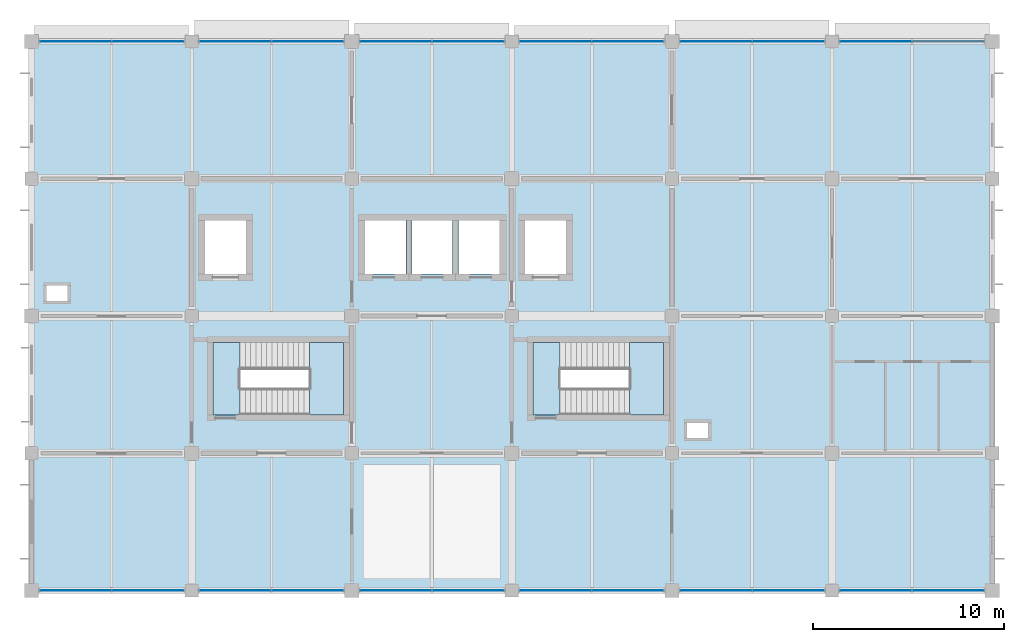
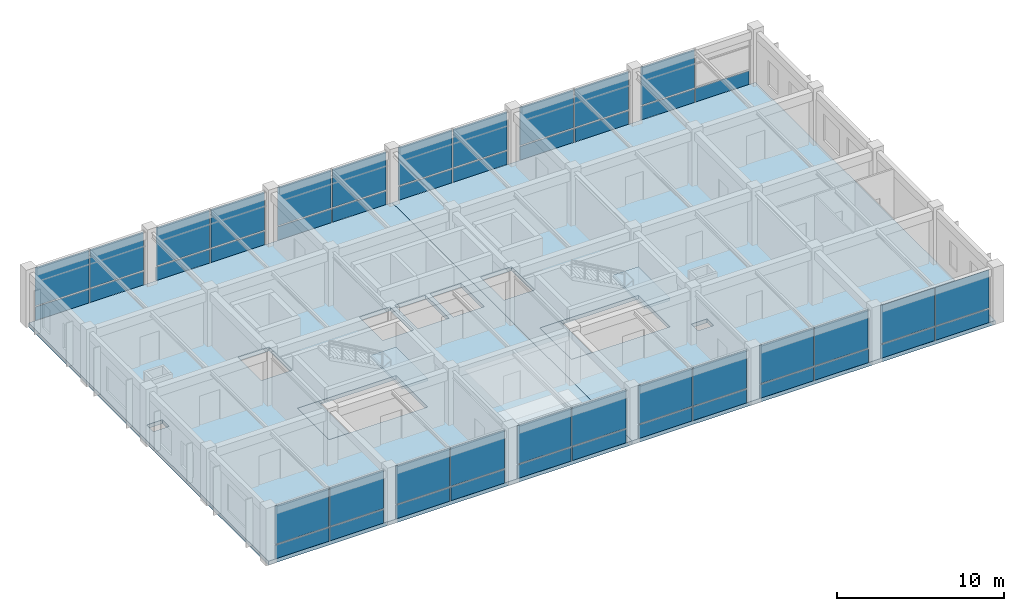
# One storey, part 7 of 13: 47 plates, 6 slabs, 14 elements without a shape of their own.
"""IFC4 building model written with IfcOpenShell, lengths in metres."""

from ifc_helpers import new_model, si_unit, derived_unit, direction, frame, origin, origin_2d, place, context, subcontext, project, spatial, polyline, rectangle, outline, extrude, material, layer, layer_set, type_object, element, aggregate, save


model = new_model("IFC4")

# Units and contexts
model_context = context("Model", 3, precision=1e-05, world=origin(), true_north=direction((0.0, 1.0)))
body_context = subcontext(model_context, "Body", "Model", "MODEL_VIEW")
ifc_project = project(units=[si_unit("LENGTHUNIT", "METRE"), si_unit("AREAUNIT", "SQUARE_METRE"), si_unit("VOLUMEUNIT", "CUBIC_METRE"), si_unit("PLANEANGLEUNIT", "RADIAN"), si_unit("MASSUNIT", "GRAM", prefix="KILO"), derived_unit("THERMALTRANSMITTANCEUNIT", [(si_unit("MASSUNIT", "GRAM", prefix="KILO"), 1), (si_unit("TIMEUNIT", "SECOND"), -3), (si_unit("THERMODYNAMICTEMPERATUREUNIT", "KELVIN"), -1)])], contexts=[model_context])

# Site, building, storey
site_placement = place(None, origin())
site = spatial("IfcSite", under=ifc_project, at=site_placement, CompositionType="ELEMENT")
building_placement = place(site_placement, origin())
building = spatial("IfcBuilding", under=site, at=building_placement, Name="Veldstrom Oceanarium and Marine Research Institute", CompositionType="ELEMENT")
storey_placement = place(building_placement, frame((0.0, 0.0, 31.199951171875)))
storey = spatial("IfcBuildingStorey", under=building, at=storey_placement, Name="L06", CompositionType="ELEMENT", Elevation=31.199951171875)

# Curtain wall, plates
ifc_material_1 = material(Name="Anodised Aluminium Framing", Category="aluminium")
curtain_wall_type = type_object("IfcCurtainWallType", Name="ARC-CW-CW04", PredefinedType="USERDEFINED", material=ifc_material_1)
curtain_wall_1_placement = place(storey_placement, origin())
curtain_wall_1 = element("IfcCurtainWall", 1, at=curtain_wall_1_placement, inside=storey, type_object=curtain_wall_type, Name="Curtain Wall CW04 CW-L06-100", ObjectType="Curtain wall", PredefinedType="USERDEFINED")
ifc_material_2 = material(Name="Double Glazed Low-E IGU", Category="glass")
ifc_layer_1 = layer(ifc_material_2, 0.035888671875)
ifc_layer_set_1 = layer_set([ifc_layer_1], Name="ARC-PLT-CP03")
plate_type_1 = type_object("IfcPlateType", Name="ARC-PLT-CP03", PredefinedType="CURTAIN_PANEL", material=ifc_layer_set_1)
plate_1_placement = place(storey_placement, frame((69.513916015625, 43.199951171875, 1.090087890625), z_axis=(0.0, 0.0, 1.0), x_axis=(1.0, 0.0, 0.0)))
plate_1 = element("IfcPlate", 2, at=plate_1_placement, type_object=plate_type_1, Name="Curtain Vision Panel CW-L06-100-PNL-V1", PredefinedType="CURTAIN_PANEL", context=body_context, shape_type="SweptSolid", body=[
    extrude(rectangle(XDim=3.717529296875, YDim=0.035888671875, at=origin_2d()), origin(), (0.0, 0.0, 1.0), 2.81005859375),
])
plate_2_placement = place(storey_placement, frame((73.311279296875, 43.199951171875, 1.090087890625), z_axis=(0.0, 0.0, 1.0), x_axis=(1.0, 0.0, 0.0)))
plate_2 = element("IfcPlate", 3, at=plate_2_placement, type_object=plate_type_1, Name="Curtain Vision Panel CW-L06-100-PNL-V2", PredefinedType="CURTAIN_PANEL", context=body_context, shape_type="SweptSolid", body=[
    extrude(rectangle(XDim=3.717529296875, YDim=0.035888671875, at=origin_2d()), origin(), (0.0, 0.0, 1.0), 2.81005859375),
])

curtain_wall_2_placement = place(storey_placement, origin())
curtain_wall_2 = element("IfcCurtainWall", 4, at=curtain_wall_2_placement, inside=storey, type_object=curtain_wall_type, Name="Curtain Wall CW04 CW-L06-101", ObjectType="Curtain wall", PredefinedType="USERDEFINED")
plate_3_placement = place(storey_placement, frame((69.513916015625, 72.0, 1.090087890625), z_axis=(0.0, 0.0, 1.0), x_axis=(1.0, 0.0, 0.0)))
plate_3 = element("IfcPlate", 5, at=plate_3_placement, type_object=plate_type_1, Name="Curtain Vision Panel CW-L06-101-PNL-V1", PredefinedType="CURTAIN_PANEL", context=body_context, shape_type="SweptSolid", body=[
    extrude(rectangle(XDim=3.717529296875, YDim=0.035888671875, at=origin_2d()), origin(), (0.0, 0.0, 1.0), 2.81005859375),
])
plate_4_placement = place(storey_placement, frame((73.311279296875, 72.0, 1.090087890625), z_axis=(0.0, 0.0, 1.0), x_axis=(1.0, 0.0, 0.0)))
plate_4 = element("IfcPlate", 6, at=plate_4_placement, type_object=plate_type_1, Name="Curtain Vision Panel CW-L06-101-PNL-V2", PredefinedType="CURTAIN_PANEL", context=body_context, shape_type="SweptSolid", body=[
    extrude(rectangle(XDim=3.717529296875, YDim=0.035888671875, at=origin_2d()), origin(), (0.0, 0.0, 1.0), 2.81005859375),
])

curtain_wall_3_placement = place(storey_placement, origin())
curtain_wall_3 = element("IfcCurtainWall", 7, at=curtain_wall_3_placement, inside=storey, type_object=curtain_wall_type, Name="Curtain Wall CW04 CW-L06-102", ObjectType="Curtain wall", PredefinedType="USERDEFINED")
plate_5_placement = place(storey_placement, frame((77.888916015625, 43.199951171875, 1.090087890625), z_axis=(0.0, 0.0, 1.0), x_axis=(1.0, 0.0, 0.0)))
plate_5 = element("IfcPlate", 8, at=plate_5_placement, type_object=plate_type_1, Name="Curtain Vision Panel CW-L06-102-PNL-V1", PredefinedType="CURTAIN_PANEL", context=body_context, shape_type="SweptSolid", body=[
    extrude(rectangle(XDim=3.717529296875, YDim=0.035888671875, at=origin_2d()), origin(), (0.0, 0.0, 1.0), 2.81005859375),
])
plate_6_placement = place(storey_placement, frame((81.686279296875, 43.199951171875, 1.090087890625), z_axis=(0.0, 0.0, 1.0), x_axis=(1.0, 0.0, 0.0)))
plate_6 = element("IfcPlate", 9, at=plate_6_placement, type_object=plate_type_1, Name="Curtain Vision Panel CW-L06-102-PNL-V2", PredefinedType="CURTAIN_PANEL", context=body_context, shape_type="SweptSolid", body=[
    extrude(rectangle(XDim=3.717529296875, YDim=0.035888671875, at=origin_2d()), origin(), (0.0, 0.0, 1.0), 2.81005859375),
])

curtain_wall_4_placement = place(storey_placement, origin())
curtain_wall_4 = element("IfcCurtainWall", 10, at=curtain_wall_4_placement, inside=storey, type_object=curtain_wall_type, Name="Curtain Wall CW04 CW-L06-103", ObjectType="Curtain wall", PredefinedType="USERDEFINED")
plate_7_placement = place(storey_placement, frame((77.888916015625, 72.0, 1.090087890625), z_axis=(0.0, 0.0, 1.0), x_axis=(1.0, 0.0, 0.0)))
plate_7 = element("IfcPlate", 11, at=plate_7_placement, type_object=plate_type_1, Name="Curtain Vision Panel CW-L06-103-PNL-V1", PredefinedType="CURTAIN_PANEL", context=body_context, shape_type="SweptSolid", body=[
    extrude(rectangle(XDim=3.717529296875, YDim=0.035888671875, at=origin_2d()), origin(), (0.0, 0.0, 1.0), 2.81005859375),
])
plate_8_placement = place(storey_placement, frame((81.686279296875, 72.0, 1.090087890625), z_axis=(0.0, 0.0, 1.0), x_axis=(1.0, 0.0, 0.0)))
plate_8 = element("IfcPlate", 12, at=plate_8_placement, type_object=plate_type_1, Name="Curtain Vision Panel CW-L06-103-PNL-V2", PredefinedType="CURTAIN_PANEL", context=body_context, shape_type="SweptSolid", body=[
    extrude(rectangle(XDim=3.717529296875, YDim=0.035888671875, at=origin_2d()), origin(), (0.0, 0.0, 1.0), 2.81005859375),
])

curtain_wall_5_placement = place(storey_placement, origin())
curtain_wall_5 = element("IfcCurtainWall", 13, at=curtain_wall_5_placement, inside=storey, type_object=curtain_wall_type, Name="Curtain Wall CW04 CW-L06-104", ObjectType="Curtain wall", PredefinedType="USERDEFINED")
plate_9_placement = place(storey_placement, frame((86.313720703125, 43.199951171875, 1.090087890625), z_axis=(0.0, 0.0, 1.0), x_axis=(1.0, 0.0, 0.0)))
plate_9 = element("IfcPlate", 14, at=plate_9_placement, type_object=plate_type_1, Name="Curtain Vision Panel CW-L06-104-PNL-V1", PredefinedType="CURTAIN_PANEL", context=body_context, shape_type="SweptSolid", body=[
    extrude(rectangle(XDim=3.717529296875, YDim=0.035888671875, at=origin_2d()), origin(), (0.0, 0.0, 1.0), 2.81005859375),
])
plate_10_placement = place(storey_placement, frame((90.111083984375, 43.199951171875, 1.090087890625), z_axis=(0.0, 0.0, 1.0), x_axis=(1.0, 0.0, 0.0)))
plate_10 = element("IfcPlate", 15, at=plate_10_placement, type_object=plate_type_1, Name="Curtain Vision Panel CW-L06-104-PNL-V2", PredefinedType="CURTAIN_PANEL", context=body_context, shape_type="SweptSolid", body=[
    extrude(rectangle(XDim=3.717529296875, YDim=0.035888671875, at=origin_2d()), origin(), (0.0, 0.0, 1.0), 2.81005859375),
])

curtain_wall_6_placement = place(storey_placement, origin())
curtain_wall_6 = element("IfcCurtainWall", 16, at=curtain_wall_6_placement, inside=storey, type_object=curtain_wall_type, Name="Curtain Wall CW04 CW-L06-105", ObjectType="Curtain wall", PredefinedType="USERDEFINED")
plate_11_placement = place(storey_placement, frame((86.313720703125, 72.0, 1.090087890625), z_axis=(0.0, 0.0, 1.0), x_axis=(1.0, 0.0, 0.0)))
plate_11 = element("IfcPlate", 17, at=plate_11_placement, type_object=plate_type_1, Name="Curtain Vision Panel CW-L06-105-PNL-V1", PredefinedType="CURTAIN_PANEL", context=body_context, shape_type="SweptSolid", body=[
    extrude(rectangle(XDim=3.717529296875, YDim=0.035888671875, at=origin_2d()), origin(), (0.0, 0.0, 1.0), 2.81005859375),
])
plate_12_placement = place(storey_placement, frame((90.111083984375, 72.0, 1.090087890625), z_axis=(0.0, 0.0, 1.0), x_axis=(1.0, 0.0, 0.0)))
plate_12 = element("IfcPlate", 18, at=plate_12_placement, type_object=plate_type_1, Name="Curtain Vision Panel CW-L06-105-PNL-V2", PredefinedType="CURTAIN_PANEL", context=body_context, shape_type="SweptSolid", body=[
    extrude(rectangle(XDim=3.717529296875, YDim=0.035888671875, at=origin_2d()), origin(), (0.0, 0.0, 1.0), 2.81005859375),
])

curtain_wall_7_placement = place(storey_placement, origin())
curtain_wall_7 = element("IfcCurtainWall", 19, at=curtain_wall_7_placement, inside=storey, type_object=curtain_wall_type, Name="Curtain Wall CW04 CW-L06-106", ObjectType="Curtain wall", PredefinedType="USERDEFINED")
plate_13_placement = place(storey_placement, frame((94.688720703125, 43.199951171875, 1.090087890625), z_axis=(0.0, 0.0, 1.0), x_axis=(1.0, 0.0, 0.0)))
plate_13 = element("IfcPlate", 20, at=plate_13_placement, type_object=plate_type_1, Name="Curtain Vision Panel CW-L06-106-PNL-V1", PredefinedType="CURTAIN_PANEL", context=body_context, shape_type="SweptSolid", body=[
    extrude(rectangle(XDim=3.717529296875, YDim=0.035888671875, at=origin_2d()), origin(), (0.0, 0.0, 1.0), 2.81005859375),
])
plate_14_placement = place(storey_placement, frame((98.486083984375, 43.199951171875, 1.090087890625), z_axis=(0.0, 0.0, 1.0), x_axis=(1.0, 0.0, 0.0)))
plate_14 = element("IfcPlate", 21, at=plate_14_placement, type_object=plate_type_1, Name="Curtain Vision Panel CW-L06-106-PNL-V2", PredefinedType="CURTAIN_PANEL", context=body_context, shape_type="SweptSolid", body=[
    extrude(rectangle(XDim=3.717529296875, YDim=0.035888671875, at=origin_2d()), origin(), (0.0, 0.0, 1.0), 2.81005859375),
])

curtain_wall_8_placement = place(storey_placement, origin())
curtain_wall_8 = element("IfcCurtainWall", 22, at=curtain_wall_8_placement, inside=storey, type_object=curtain_wall_type, Name="Curtain Wall CW04 CW-L06-107", ObjectType="Curtain wall", PredefinedType="USERDEFINED")
plate_15_placement = place(storey_placement, frame((94.688720703125, 72.0, 1.090087890625), z_axis=(0.0, 0.0, 1.0), x_axis=(1.0, 0.0, 0.0)))
plate_15 = element("IfcPlate", 23, at=plate_15_placement, type_object=plate_type_1, Name="Curtain Vision Panel CW-L06-107-PNL-V1", PredefinedType="CURTAIN_PANEL", context=body_context, shape_type="SweptSolid", body=[
    extrude(rectangle(XDim=3.717529296875, YDim=0.035888671875, at=origin_2d()), origin(), (0.0, 0.0, 1.0), 2.81005859375),
])
plate_16_placement = place(storey_placement, frame((98.486083984375, 72.0, 1.090087890625), z_axis=(0.0, 0.0, 1.0), x_axis=(1.0, 0.0, 0.0)))
plate_16 = element("IfcPlate", 24, at=plate_16_placement, type_object=plate_type_1, Name="Curtain Vision Panel CW-L06-107-PNL-V2", PredefinedType="CURTAIN_PANEL", context=body_context, shape_type="SweptSolid", body=[
    extrude(rectangle(XDim=3.717529296875, YDim=0.035888671875, at=origin_2d()), origin(), (0.0, 0.0, 1.0), 2.81005859375),
])

curtain_wall_9_placement = place(storey_placement, origin())
curtain_wall_9 = element("IfcCurtainWall", 25, at=curtain_wall_9_placement, inside=storey, type_object=curtain_wall_type, Name="Curtain Wall CW04 CW-L06-108", ObjectType="Curtain wall", PredefinedType="USERDEFINED")
plate_17_placement = place(storey_placement, frame((103.11376953125, 43.199951171875, 1.090087890625), z_axis=(0.0, 0.0, 1.0), x_axis=(1.0, 0.0, 0.0)))
plate_17 = element("IfcPlate", 26, at=plate_17_placement, type_object=plate_type_1, Name="Curtain Vision Panel CW-L06-108-PNL-V1", PredefinedType="CURTAIN_PANEL", context=body_context, shape_type="SweptSolid", body=[
    extrude(rectangle(XDim=3.717529296875, YDim=0.035888671875, at=origin_2d()), origin(), (0.0, 0.0, 1.0), 2.81005859375),
])
plate_18_placement = place(storey_placement, frame((106.9111328125, 43.199951171875, 1.090087890625), z_axis=(0.0, 0.0, 1.0), x_axis=(1.0, 0.0, 0.0)))
plate_18 = element("IfcPlate", 27, at=plate_18_placement, type_object=plate_type_1, Name="Curtain Vision Panel CW-L06-108-PNL-V2", PredefinedType="CURTAIN_PANEL", context=body_context, shape_type="SweptSolid", body=[
    extrude(rectangle(XDim=3.717529296875, YDim=0.035888671875, at=origin_2d()), origin(), (0.0, 0.0, 1.0), 2.81005859375),
])

curtain_wall_10_placement = place(storey_placement, origin())
curtain_wall_10 = element("IfcCurtainWall", 28, at=curtain_wall_10_placement, inside=storey, type_object=curtain_wall_type, Name="Curtain Wall CW04 CW-L06-109", ObjectType="Curtain wall", PredefinedType="USERDEFINED")
plate_19_placement = place(storey_placement, frame((103.11376953125, 72.0, 1.090087890625), z_axis=(0.0, 0.0, 1.0), x_axis=(1.0, 0.0, 0.0)))
plate_19 = element("IfcPlate", 29, at=plate_19_placement, type_object=plate_type_1, Name="Curtain Vision Panel CW-L06-109-PNL-V1", PredefinedType="CURTAIN_PANEL", context=body_context, shape_type="SweptSolid", body=[
    extrude(rectangle(XDim=3.717529296875, YDim=0.035888671875, at=origin_2d()), origin(), (0.0, 0.0, 1.0), 2.81005859375),
])
plate_20_placement = place(storey_placement, frame((106.9111328125, 72.0, 1.090087890625), z_axis=(0.0, 0.0, 1.0), x_axis=(1.0, 0.0, 0.0)))
plate_20 = element("IfcPlate", 30, at=plate_20_placement, type_object=plate_type_1, Name="Curtain Vision Panel CW-L06-109-PNL-V2", PredefinedType="CURTAIN_PANEL", context=body_context, shape_type="SweptSolid", body=[
    extrude(rectangle(XDim=3.717529296875, YDim=0.035888671875, at=origin_2d()), origin(), (0.0, 0.0, 1.0), 2.81005859375),
])

curtain_wall_11_placement = place(storey_placement, origin())
curtain_wall_11 = element("IfcCurtainWall", 31, at=curtain_wall_11_placement, inside=storey, type_object=curtain_wall_type, Name="Curtain Wall CW04 CW-L06-110", ObjectType="Curtain wall", PredefinedType="USERDEFINED")
plate_21_placement = place(storey_placement, frame((111.48876953125, 43.199951171875, 1.090087890625), z_axis=(0.0, 0.0, 1.0), x_axis=(1.0, 0.0, 0.0)))
plate_21 = element("IfcPlate", 32, at=plate_21_placement, type_object=plate_type_1, Name="Curtain Vision Panel CW-L06-110-PNL-V1", PredefinedType="CURTAIN_PANEL", context=body_context, shape_type="SweptSolid", body=[
    extrude(rectangle(XDim=3.717529296875, YDim=0.035888671875, at=origin_2d()), origin(), (0.0, 0.0, 1.0), 2.81005859375),
])
plate_22_placement = place(storey_placement, frame((115.2861328125, 43.199951171875, 1.090087890625), z_axis=(0.0, 0.0, 1.0), x_axis=(1.0, 0.0, 0.0)))
plate_22 = element("IfcPlate", 33, at=plate_22_placement, type_object=plate_type_1, Name="Curtain Vision Panel CW-L06-110-PNL-V2", PredefinedType="CURTAIN_PANEL", context=body_context, shape_type="SweptSolid", body=[
    extrude(rectangle(XDim=3.717529296875, YDim=0.035888671875, at=origin_2d()), origin(), (0.0, 0.0, 1.0), 2.81005859375),
])

# Curtain wall, plate
curtain_wall_12_placement = place(storey_placement, origin())
curtain_wall_12 = element("IfcCurtainWall", 34, at=curtain_wall_12_placement, inside=storey, type_object=curtain_wall_type, Name="Curtain Wall CW04 CW-L06-111", ObjectType="Curtain wall", PredefinedType="USERDEFINED")
plate_23_placement = place(storey_placement, frame((111.48876953125, 72.0, 1.090087890625), z_axis=(0.0, 0.0, 1.0), x_axis=(1.0, 0.0, 0.0)))
plate_23 = element("IfcPlate", 35, at=plate_23_placement, type_object=plate_type_1, Name="Curtain Vision Panel CW-L06-111-PNL-V1", PredefinedType="CURTAIN_PANEL", context=body_context, shape_type="SweptSolid", body=[
    extrude(rectangle(XDim=3.717529296875, YDim=0.035888671875, at=origin_2d()), origin(), (0.0, 0.0, 1.0), 2.81005859375),
])

# Plate
ifc_material_3 = material(Name="Insulated Aluminium Spandrel", Category="aluminium")
ifc_layer_2 = layer(ifc_material_3, 0.044921875)
ifc_layer_set_2 = layer_set([ifc_layer_2], Name="ARC-PLT-CP04")
plate_type_2 = type_object("IfcPlateType", Name="ARC-PLT-CP04", PredefinedType="CURTAIN_PANEL", material=ifc_layer_set_2)
plate_24_placement = place(storey_placement, frame((69.513916015625, 43.199951171875, 0.02001953125), z_axis=(0.0, 0.0, 1.0), x_axis=(1.0, 0.0, 0.0)))
plate_24 = element("IfcPlate", 36, at=plate_24_placement, type_object=plate_type_2, Name="Curtain Spandrel Panel CW-L06-100-PNL-S1", PredefinedType="CURTAIN_PANEL", context=body_context, shape_type="SweptSolid", body=[
    extrude(rectangle(XDim=3.717529296875, YDim=0.044921875, at=origin_2d()), origin(), (0.0, 0.0, 1.0), 0.989990234375),
])

plate_25_placement = place(storey_placement, frame((73.311279296875, 43.199951171875, 0.02001953125), z_axis=(0.0, 0.0, 1.0), x_axis=(1.0, 0.0, 0.0)))
plate_25 = element("IfcPlate", 37, at=plate_25_placement, type_object=plate_type_2, Name="Curtain Spandrel Panel CW-L06-100-PNL-S2", PredefinedType="CURTAIN_PANEL", context=body_context, shape_type="SweptSolid", body=[
    extrude(rectangle(XDim=3.717529296875, YDim=0.044921875, at=origin_2d()), origin(), (0.0, 0.0, 1.0), 0.989990234375),
])

aggregate(curtain_wall_1, [plate_24, plate_1, plate_25, plate_2])

plate_26_placement = place(storey_placement, frame((69.513916015625, 72.0, 0.02001953125), z_axis=(0.0, 0.0, 1.0), x_axis=(1.0, 0.0, 0.0)))
plate_26 = element("IfcPlate", 38, at=plate_26_placement, type_object=plate_type_2, Name="Curtain Spandrel Panel CW-L06-101-PNL-S1", PredefinedType="CURTAIN_PANEL", context=body_context, shape_type="SweptSolid", body=[
    extrude(rectangle(XDim=3.717529296875, YDim=0.044921875, at=origin_2d()), origin(), (0.0, 0.0, 1.0), 0.989990234375),
])

plate_27_placement = place(storey_placement, frame((73.311279296875, 72.0, 0.02001953125), z_axis=(0.0, 0.0, 1.0), x_axis=(1.0, 0.0, 0.0)))
plate_27 = element("IfcPlate", 39, at=plate_27_placement, type_object=plate_type_2, Name="Curtain Spandrel Panel CW-L06-101-PNL-S2", PredefinedType="CURTAIN_PANEL", context=body_context, shape_type="SweptSolid", body=[
    extrude(rectangle(XDim=3.717529296875, YDim=0.044921875, at=origin_2d()), origin(), (0.0, 0.0, 1.0), 0.989990234375),
])

aggregate(curtain_wall_2, [plate_26, plate_3, plate_27, plate_4])

plate_28_placement = place(storey_placement, frame((77.888916015625, 43.199951171875, 0.02001953125), z_axis=(0.0, 0.0, 1.0), x_axis=(1.0, 0.0, 0.0)))
plate_28 = element("IfcPlate", 40, at=plate_28_placement, type_object=plate_type_2, Name="Curtain Spandrel Panel CW-L06-102-PNL-S1", PredefinedType="CURTAIN_PANEL", context=body_context, shape_type="SweptSolid", body=[
    extrude(rectangle(XDim=3.717529296875, YDim=0.044921875, at=origin_2d()), origin(), (0.0, 0.0, 1.0), 0.989990234375),
])

plate_29_placement = place(storey_placement, frame((81.686279296875, 43.199951171875, 0.02001953125), z_axis=(0.0, 0.0, 1.0), x_axis=(1.0, 0.0, 0.0)))
plate_29 = element("IfcPlate", 41, at=plate_29_placement, type_object=plate_type_2, Name="Curtain Spandrel Panel CW-L06-102-PNL-S2", PredefinedType="CURTAIN_PANEL", context=body_context, shape_type="SweptSolid", body=[
    extrude(rectangle(XDim=3.717529296875, YDim=0.044921875, at=origin_2d()), origin(), (0.0, 0.0, 1.0), 0.989990234375),
])

aggregate(curtain_wall_3, [plate_28, plate_5, plate_29, plate_6])

plate_30_placement = place(storey_placement, frame((77.888916015625, 72.0, 0.02001953125), z_axis=(0.0, 0.0, 1.0), x_axis=(1.0, 0.0, 0.0)))
plate_30 = element("IfcPlate", 42, at=plate_30_placement, type_object=plate_type_2, Name="Curtain Spandrel Panel CW-L06-103-PNL-S1", PredefinedType="CURTAIN_PANEL", context=body_context, shape_type="SweptSolid", body=[
    extrude(rectangle(XDim=3.717529296875, YDim=0.044921875, at=origin_2d()), origin(), (0.0, 0.0, 1.0), 0.989990234375),
])

plate_31_placement = place(storey_placement, frame((81.686279296875, 72.0, 0.02001953125), z_axis=(0.0, 0.0, 1.0), x_axis=(1.0, 0.0, 0.0)))
plate_31 = element("IfcPlate", 43, at=plate_31_placement, type_object=plate_type_2, Name="Curtain Spandrel Panel CW-L06-103-PNL-S2", PredefinedType="CURTAIN_PANEL", context=body_context, shape_type="SweptSolid", body=[
    extrude(rectangle(XDim=3.717529296875, YDim=0.044921875, at=origin_2d()), origin(), (0.0, 0.0, 1.0), 0.989990234375),
])

aggregate(curtain_wall_4, [plate_30, plate_7, plate_31, plate_8])

plate_32_placement = place(storey_placement, frame((86.313720703125, 43.199951171875, 0.02001953125), z_axis=(0.0, 0.0, 1.0), x_axis=(1.0, 0.0, 0.0)))
plate_32 = element("IfcPlate", 44, at=plate_32_placement, type_object=plate_type_2, Name="Curtain Spandrel Panel CW-L06-104-PNL-S1", PredefinedType="CURTAIN_PANEL", context=body_context, shape_type="SweptSolid", body=[
    extrude(rectangle(XDim=3.717529296875, YDim=0.044921875, at=origin_2d()), origin(), (0.0, 0.0, 1.0), 0.989990234375),
])

plate_33_placement = place(storey_placement, frame((90.111083984375, 43.199951171875, 0.02001953125), z_axis=(0.0, 0.0, 1.0), x_axis=(1.0, 0.0, 0.0)))
plate_33 = element("IfcPlate", 45, at=plate_33_placement, type_object=plate_type_2, Name="Curtain Spandrel Panel CW-L06-104-PNL-S2", PredefinedType="CURTAIN_PANEL", context=body_context, shape_type="SweptSolid", body=[
    extrude(rectangle(XDim=3.717529296875, YDim=0.044921875, at=origin_2d()), origin(), (0.0, 0.0, 1.0), 0.989990234375),
])

aggregate(curtain_wall_5, [plate_32, plate_9, plate_33, plate_10])

plate_34_placement = place(storey_placement, frame((86.313720703125, 72.0, 0.02001953125), z_axis=(0.0, 0.0, 1.0), x_axis=(1.0, 0.0, 0.0)))
plate_34 = element("IfcPlate", 46, at=plate_34_placement, type_object=plate_type_2, Name="Curtain Spandrel Panel CW-L06-105-PNL-S1", PredefinedType="CURTAIN_PANEL", context=body_context, shape_type="SweptSolid", body=[
    extrude(rectangle(XDim=3.717529296875, YDim=0.044921875, at=origin_2d()), origin(), (0.0, 0.0, 1.0), 0.989990234375),
])

plate_35_placement = place(storey_placement, frame((90.111083984375, 72.0, 0.02001953125), z_axis=(0.0, 0.0, 1.0), x_axis=(1.0, 0.0, 0.0)))
plate_35 = element("IfcPlate", 47, at=plate_35_placement, type_object=plate_type_2, Name="Curtain Spandrel Panel CW-L06-105-PNL-S2", PredefinedType="CURTAIN_PANEL", context=body_context, shape_type="SweptSolid", body=[
    extrude(rectangle(XDim=3.717529296875, YDim=0.044921875, at=origin_2d()), origin(), (0.0, 0.0, 1.0), 0.989990234375),
])

aggregate(curtain_wall_6, [plate_34, plate_11, plate_35, plate_12])

plate_36_placement = place(storey_placement, frame((94.688720703125, 43.199951171875, 0.02001953125), z_axis=(0.0, 0.0, 1.0), x_axis=(1.0, 0.0, 0.0)))
plate_36 = element("IfcPlate", 48, at=plate_36_placement, type_object=plate_type_2, Name="Curtain Spandrel Panel CW-L06-106-PNL-S1", PredefinedType="CURTAIN_PANEL", context=body_context, shape_type="SweptSolid", body=[
    extrude(rectangle(XDim=3.717529296875, YDim=0.044921875, at=origin_2d()), origin(), (0.0, 0.0, 1.0), 0.989990234375),
])

plate_37_placement = place(storey_placement, frame((98.486083984375, 43.199951171875, 0.02001953125), z_axis=(0.0, 0.0, 1.0), x_axis=(1.0, 0.0, 0.0)))
plate_37 = element("IfcPlate", 49, at=plate_37_placement, type_object=plate_type_2, Name="Curtain Spandrel Panel CW-L06-106-PNL-S2", PredefinedType="CURTAIN_PANEL", context=body_context, shape_type="SweptSolid", body=[
    extrude(rectangle(XDim=3.717529296875, YDim=0.044921875, at=origin_2d()), origin(), (0.0, 0.0, 1.0), 0.989990234375),
])

aggregate(curtain_wall_7, [plate_36, plate_13, plate_37, plate_14])

plate_38_placement = place(storey_placement, frame((94.688720703125, 72.0, 0.02001953125), z_axis=(0.0, 0.0, 1.0), x_axis=(1.0, 0.0, 0.0)))
plate_38 = element("IfcPlate", 50, at=plate_38_placement, type_object=plate_type_2, Name="Curtain Spandrel Panel CW-L06-107-PNL-S1", PredefinedType="CURTAIN_PANEL", context=body_context, shape_type="SweptSolid", body=[
    extrude(rectangle(XDim=3.717529296875, YDim=0.044921875, at=origin_2d()), origin(), (0.0, 0.0, 1.0), 0.989990234375),
])

plate_39_placement = place(storey_placement, frame((98.486083984375, 72.0, 0.02001953125), z_axis=(0.0, 0.0, 1.0), x_axis=(1.0, 0.0, 0.0)))
plate_39 = element("IfcPlate", 51, at=plate_39_placement, type_object=plate_type_2, Name="Curtain Spandrel Panel CW-L06-107-PNL-S2", PredefinedType="CURTAIN_PANEL", context=body_context, shape_type="SweptSolid", body=[
    extrude(rectangle(XDim=3.717529296875, YDim=0.044921875, at=origin_2d()), origin(), (0.0, 0.0, 1.0), 0.989990234375),
])

aggregate(curtain_wall_8, [plate_38, plate_15, plate_39, plate_16])

plate_40_placement = place(storey_placement, frame((103.11376953125, 43.199951171875, 0.02001953125), z_axis=(0.0, 0.0, 1.0), x_axis=(1.0, 0.0, 0.0)))
plate_40 = element("IfcPlate", 52, at=plate_40_placement, type_object=plate_type_2, Name="Curtain Spandrel Panel CW-L06-108-PNL-S1", PredefinedType="CURTAIN_PANEL", context=body_context, shape_type="SweptSolid", body=[
    extrude(rectangle(XDim=3.717529296875, YDim=0.044921875, at=origin_2d()), origin(), (0.0, 0.0, 1.0), 0.989990234375),
])

plate_41_placement = place(storey_placement, frame((106.9111328125, 43.199951171875, 0.02001953125), z_axis=(0.0, 0.0, 1.0), x_axis=(1.0, 0.0, 0.0)))
plate_41 = element("IfcPlate", 53, at=plate_41_placement, type_object=plate_type_2, Name="Curtain Spandrel Panel CW-L06-108-PNL-S2", PredefinedType="CURTAIN_PANEL", context=body_context, shape_type="SweptSolid", body=[
    extrude(rectangle(XDim=3.717529296875, YDim=0.044921875, at=origin_2d()), origin(), (0.0, 0.0, 1.0), 0.989990234375),
])

aggregate(curtain_wall_9, [plate_40, plate_17, plate_41, plate_18])

plate_42_placement = place(storey_placement, frame((103.11376953125, 72.0, 0.02001953125), z_axis=(0.0, 0.0, 1.0), x_axis=(1.0, 0.0, 0.0)))
plate_42 = element("IfcPlate", 54, at=plate_42_placement, type_object=plate_type_2, Name="Curtain Spandrel Panel CW-L06-109-PNL-S1", PredefinedType="CURTAIN_PANEL", context=body_context, shape_type="SweptSolid", body=[
    extrude(rectangle(XDim=3.717529296875, YDim=0.044921875, at=origin_2d()), origin(), (0.0, 0.0, 1.0), 0.989990234375),
])

plate_43_placement = place(storey_placement, frame((106.9111328125, 72.0, 0.02001953125), z_axis=(0.0, 0.0, 1.0), x_axis=(1.0, 0.0, 0.0)))
plate_43 = element("IfcPlate", 55, at=plate_43_placement, type_object=plate_type_2, Name="Curtain Spandrel Panel CW-L06-109-PNL-S2", PredefinedType="CURTAIN_PANEL", context=body_context, shape_type="SweptSolid", body=[
    extrude(rectangle(XDim=3.717529296875, YDim=0.044921875, at=origin_2d()), origin(), (0.0, 0.0, 1.0), 0.989990234375),
])

aggregate(curtain_wall_10, [plate_42, plate_19, plate_43, plate_20])

plate_44_placement = place(storey_placement, frame((111.48876953125, 43.199951171875, 0.02001953125), z_axis=(0.0, 0.0, 1.0), x_axis=(1.0, 0.0, 0.0)))
plate_44 = element("IfcPlate", 56, at=plate_44_placement, type_object=plate_type_2, Name="Curtain Spandrel Panel CW-L06-110-PNL-S1", PredefinedType="CURTAIN_PANEL", context=body_context, shape_type="SweptSolid", body=[
    extrude(rectangle(XDim=3.717529296875, YDim=0.044921875, at=origin_2d()), origin(), (0.0, 0.0, 1.0), 0.989990234375),
])

plate_45_placement = place(storey_placement, frame((115.2861328125, 43.199951171875, 0.02001953125), z_axis=(0.0, 0.0, 1.0), x_axis=(1.0, 0.0, 0.0)))
plate_45 = element("IfcPlate", 57, at=plate_45_placement, type_object=plate_type_2, Name="Curtain Spandrel Panel CW-L06-110-PNL-S2", PredefinedType="CURTAIN_PANEL", context=body_context, shape_type="SweptSolid", body=[
    extrude(rectangle(XDim=3.717529296875, YDim=0.044921875, at=origin_2d()), origin(), (0.0, 0.0, 1.0), 0.989990234375),
])

aggregate(curtain_wall_11, [plate_44, plate_21, plate_45, plate_22])

plate_46_placement = place(storey_placement, frame((111.48876953125, 72.0, 0.02001953125), z_axis=(0.0, 0.0, 1.0), x_axis=(1.0, 0.0, 0.0)))
plate_46 = element("IfcPlate", 58, at=plate_46_placement, type_object=plate_type_2, Name="Curtain Spandrel Panel CW-L06-111-PNL-S1", PredefinedType="CURTAIN_PANEL", context=body_context, shape_type="SweptSolid", body=[
    extrude(rectangle(XDim=3.717529296875, YDim=0.044921875, at=origin_2d()), origin(), (0.0, 0.0, 1.0), 0.989990234375),
])

plate_47_placement = place(storey_placement, frame((115.2861328125, 72.0, 0.02001953125), z_axis=(0.0, 0.0, 1.0), x_axis=(1.0, 0.0, 0.0)))
plate_47 = element("IfcPlate", 59, at=plate_47_placement, type_object=plate_type_2, Name="Curtain Spandrel Panel CW-L06-111-PNL-S2", PredefinedType="CURTAIN_PANEL", context=body_context, shape_type="SweptSolid", body=[
    extrude(rectangle(XDim=3.717529296875, YDim=0.044921875, at=origin_2d()), origin(), (0.0, 0.0, 1.0), 0.989990234375),
])

aggregate(curtain_wall_12, [plate_46, plate_23, plate_47])

# Slabs
ifc_material_4 = material(Name="Concrete C40/50", Category="concrete")
ifc_layer_3 = layer(ifc_material_4, 0.280029296875)
ifc_layer_set_3 = layer_set([ifc_layer_3], Name="STR-SLB-FL0280")
slab_type_1 = type_object("IfcSlabType", Name="STR-SLB-FL0280", PredefinedType="FLOOR", material=ifc_layer_set_3)
slab_1_placement = place(storey_placement, frame((0.0, 0.0, -0.280029296875)))
element("IfcSlab", 60, at=slab_1_placement, inside=storey, type_object=slab_type_1, Name="Slab SF-280 L06 CW", PredefinedType="FLOOR", context=body_context, shape_type="SweptSolid", body=[
    extrude(outline(polyline([(92.39990234375, 50.39990234375), (92.39990234375, 43.199951171875), (84.0, 43.199951171875), (75.60009765625, 43.199951171875), (67.199951171875, 43.199951171875), (67.199951171875, 50.39990234375), (67.199951171875, 57.60009765625), (67.199951171875, 64.800048828125), (67.199951171875, 72.0), (75.60009765625, 72.0), (84.0, 72.0), (92.39990234375, 72.0), (92.39990234375, 64.800048828125), (92.39990234375, 57.60009765625), (92.39990234375, 50.39990234375)]), holes=[polyline([(83.56005859375, 52.39990234375), (83.56005859375, 56.199951171875), (76.719970703125, 56.199951171875), (76.719970703125, 52.39990234375), (83.56005859375, 52.39990234375)]), polyline([(76.300048828125, 62.60009765625), (76.300048828125, 59.800048828125), (78.449951171875, 59.800048828125), (78.449951171875, 62.60009765625), (76.300048828125, 62.60009765625)]), polyline([(86.85009765625, 59.800048828125), (86.85009765625, 62.60009765625), (84.699951171875, 62.60009765625), (84.699951171875, 59.800048828125), (86.85009765625, 59.800048828125)]), polyline([(87.14990234375, 59.800048828125), (89.300048828125, 59.800048828125), (89.300048828125, 62.60009765625), (87.14990234375, 62.60009765625), (87.14990234375, 59.800048828125)]), polyline([(89.60009765625, 62.60009765625), (89.60009765625, 59.800048828125), (91.75, 59.800048828125), (91.75, 62.60009765625), (89.60009765625, 62.60009765625)]), polyline([(69.10009765625, 59.199951171875), (68.0, 59.199951171875), (68.0, 58.39990234375), (69.10009765625, 58.39990234375), (69.10009765625, 59.199951171875)])]), origin(), (0.0, 0.0, 1.0), 0.280029296875),
])
slab_2_placement = place(storey_placement, frame((0.0, 0.0, -0.280029296875)))
element("IfcSlab", 61, at=slab_2_placement, inside=storey, type_object=slab_type_1, Name="Slab SF-280 L06 CE", PredefinedType="FLOOR", context=body_context, shape_type="SweptSolid", body=[
    extrude(outline(polyline([(117.60009765625, 57.60009765625), (117.60009765625, 50.39990234375), (117.60009765625, 43.199951171875), (109.199951171875, 43.199951171875), (100.800048828125, 43.199951171875), (92.39990234375, 43.199951171875), (92.39990234375, 50.39990234375), (92.39990234375, 57.60009765625), (92.39990234375, 64.800048828125), (92.39990234375, 72.0), (100.800048828125, 72.0), (109.199951171875, 72.0), (117.60009765625, 72.0), (117.60009765625, 64.800048828125), (117.60009765625, 57.60009765625)]), holes=[polyline([(93.52001953125, 52.39990234375), (100.360107421875, 52.39990234375), (100.360107421875, 56.199951171875), (93.52001953125, 56.199951171875), (93.52001953125, 52.39990234375)]), polyline([(95.25, 62.60009765625), (93.10009765625, 62.60009765625), (93.10009765625, 59.800048828125), (95.25, 59.800048828125), (95.25, 62.60009765625)]), polyline([(102.699951171875, 52.0), (101.60009765625, 52.0), (101.60009765625, 51.199951171875), (102.699951171875, 51.199951171875), (102.699951171875, 52.0)])]), origin(), (0.0, 0.0, 1.0), 0.280029296875),
])

# Stair, slab
ifc_material_5 = material(Name="Concrete C40/50", Category="concrete")
stair_type = type_object("IfcStairType", Name="ARC-STR-ST-420", PredefinedType="TWO_STRAIGHT_RUN_STAIR", material=ifc_material_5)
stair_1_placement = place(storey_placement, origin())
stair_1 = element("IfcStair", 62, at=stair_1_placement, inside=storey, type_object=stair_type, Name="Dog-Leg Escape Stair ST1-L06", PredefinedType="TWO_STRAIGHT_RUN_STAIR")
ifc_material_6 = material(Name="Concrete C40/50", Category="concrete")
ifc_layer_4 = layer(ifc_material_6, 0.179931640625)
ifc_layer_set_4 = layer_set([ifc_layer_4], Name="STR-SLB-LD180")
slab_type_2 = type_object("IfcSlabType", Name="STR-SLB-LD180", PredefinedType="LANDING", material=ifc_layer_set_4)
slab_3_placement = place(storey_placement, frame((0.0, 0.0, 1.920166015625)))
slab_3 = element("IfcSlab", 63, at=slab_3_placement, type_object=slab_type_2, Name="Stair Half-Landing ST1 L06", PredefinedType="LANDING", context=body_context, shape_type="SweptSolid", body=[
    extrude(outline(polyline([(81.780029296875, 52.39990234375), (83.56005859375, 52.39990234375), (83.56005859375, 56.199951171875), (81.780029296875, 56.199951171875), (81.780029296875, 52.39990234375)])), origin(), (0.0, 0.0, 1.0), 0.179931640625),
])
aggregate(stair_1, [slab_3])

stair_2_placement = place(storey_placement, origin())
stair_2 = element("IfcStair", 64, at=stair_2_placement, inside=storey, type_object=stair_type, Name="Dog-Leg Escape Stair ST2-L06", PredefinedType="TWO_STRAIGHT_RUN_STAIR")
slab_4_placement = place(storey_placement, frame((0.0, 0.0, 1.920166015625)))
slab_4 = element("IfcSlab", 65, at=slab_4_placement, type_object=slab_type_2, Name="Stair Half-Landing ST2 L06", PredefinedType="LANDING", context=body_context, shape_type="SweptSolid", body=[
    extrude(outline(polyline([(98.580078125, 52.39990234375), (100.360107421875, 52.39990234375), (100.360107421875, 56.199951171875), (98.580078125, 56.199951171875), (98.580078125, 52.39990234375)])), origin(), (0.0, 0.0, 1.0), 0.179931640625),
])
aggregate(stair_2, [slab_4])

# Slabs
ifc_material_7 = material(Name="Concrete C40/50", Category="concrete")
ifc_layer_5 = layer(ifc_material_7, 0.199951171875)
ifc_layer_set_5 = layer_set([ifc_layer_5], Name="STR-SLB-LD200")
slab_type_3 = type_object("IfcSlabType", Name="STR-SLB-LD200", PredefinedType="LANDING", material=ifc_layer_set_5)
slab_5_placement = place(storey_placement, frame((0.0, 0.0, -0.199951171875)))
element("IfcSlab", 66, at=slab_5_placement, inside=storey, type_object=slab_type_3, Name="Stair Floor Landing ST1 L06", PredefinedType="LANDING", context=body_context, shape_type="SweptSolid", body=[
    extrude(outline(polyline([(76.719970703125, 52.39990234375), (78.139892578125, 52.39990234375), (78.139892578125, 56.199951171875), (76.719970703125, 56.199951171875), (76.719970703125, 52.39990234375)])), origin(), (0.0, 0.0, 1.0), 0.199951171875),
])
slab_6_placement = place(storey_placement, frame((0.0, 0.0, -0.199951171875)))
element("IfcSlab", 67, at=slab_6_placement, inside=storey, type_object=slab_type_3, Name="Stair Floor Landing ST2 L06", PredefinedType="LANDING", context=body_context, shape_type="SweptSolid", body=[
    extrude(outline(polyline([(93.52001953125, 52.39990234375), (94.93994140625, 52.39990234375), (94.93994140625, 56.199951171875), (93.52001953125, 56.199951171875), (93.52001953125, 52.39990234375)])), origin(), (0.0, 0.0, 1.0), 0.199951171875),
])

save(model, "model.ifc")
